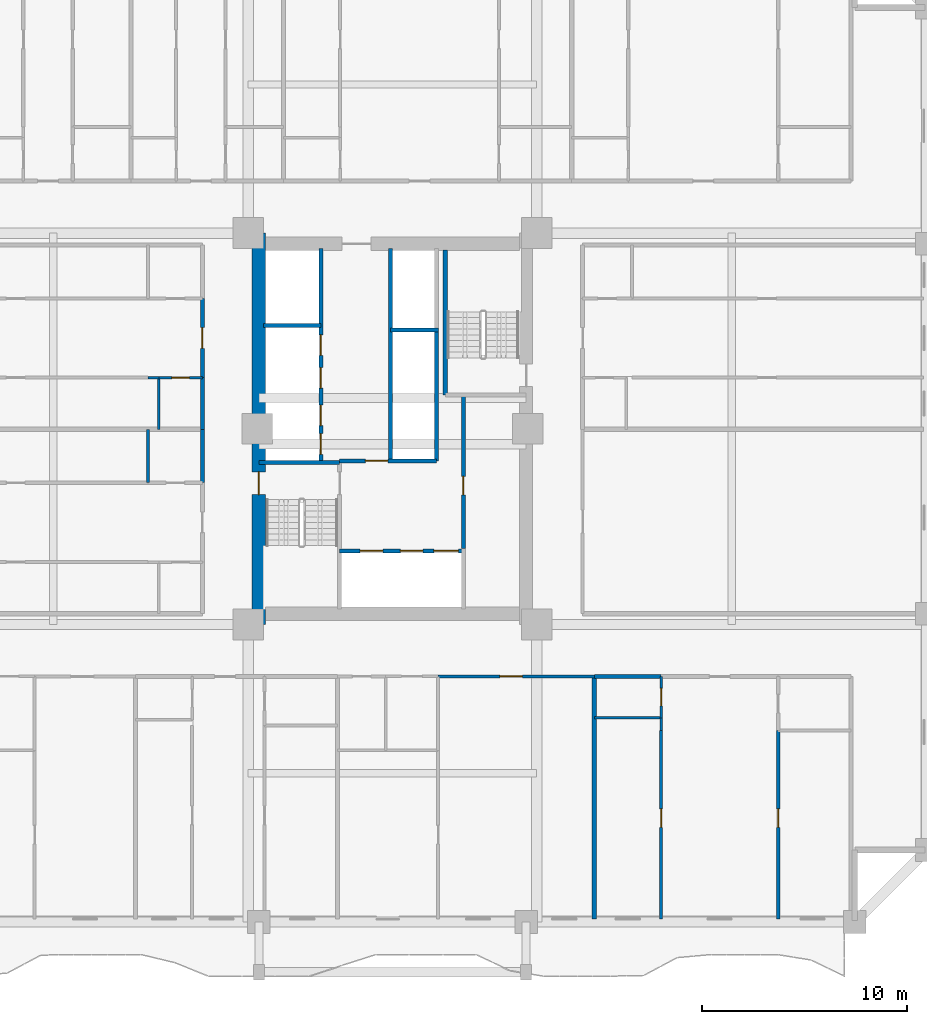
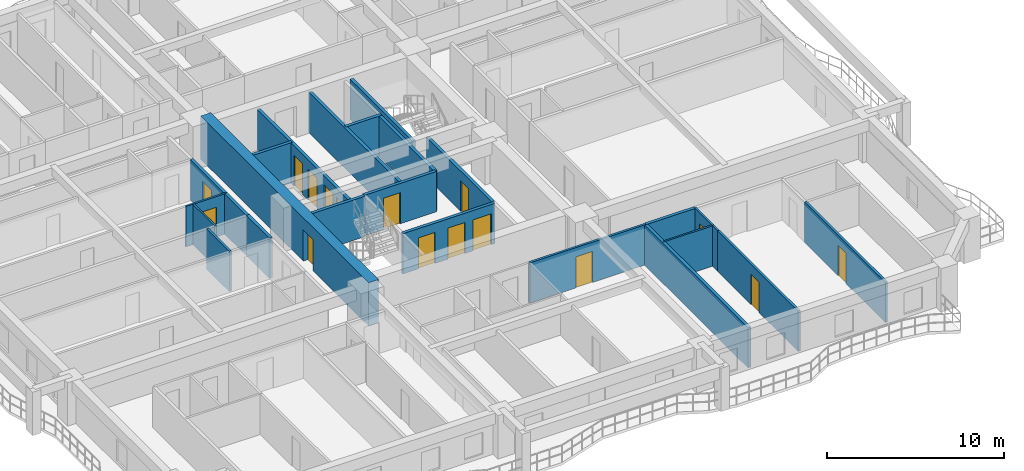
# One storey, part 4 of 15: 26 walls, 16 doors, 16 openings.
"""IFC4 building model written with IfcOpenShell, lengths in metres."""

from ifc_helpers import new_model, si_unit, direction, frame, frame_2d, origin, place, context, subcontext, project, spatial, rectangle, extrude, source, transform, mapped, material, layer, layer_set, type_object, element, fill, save


model = new_model("IFC4")

# Units and contexts
model_context = context("Model", 3, precision=1e-05, world=origin(), true_north=direction((0.0, 1.0)))
body_context = subcontext(model_context, "Body", "Model", "MODEL_VIEW")
ifc_project = project(units=[si_unit("LENGTHUNIT", "METRE"), si_unit("AREAUNIT", "SQUARE_METRE"), si_unit("VOLUMEUNIT", "CUBIC_METRE"), si_unit("PLANEANGLEUNIT", "RADIAN"), si_unit("MASSUNIT", "GRAM", prefix="KILO")], contexts=[model_context])

# Site, building, storey
site_placement = place(None, origin())
site = spatial("IfcSite", under=ifc_project, at=site_placement, CompositionType="ELEMENT")
building_placement = place(site_placement, origin())
building = spatial("IfcBuilding", under=site, at=building_placement, Name="Saelheon Loggia Tower", CompositionType="ELEMENT")
storey_placement = place(building_placement, frame((0.0, 0.0, 46.39990234375)))
storey = spatial("IfcBuildingStorey", under=building, at=storey_placement, Name="L14", CompositionType="ELEMENT", Elevation=46.39990234375)

# Wall, opening, door
ifc_material_1 = material(Name="Concrete C60/75", Category="concrete")
ifc_layer_1 = layer(ifc_material_1, 0.64990234375)
ifc_layer_set_1 = layer_set([ifc_layer_1], Name="Concrete C60/75")
wall_type_1 = type_object("IfcWallType", Name="Wall_CoreShear_650", PredefinedType="SHEAR", material=ifc_layer_set_1)
wall_1_placement = place(storey_placement, frame((31.5, 17.47998046875, 0.0), z_axis=(0.0, 0.0, 1.0), x_axis=(0.0, 1.0, 0.0)))
wall_1 = element("IfcWall", 1, at=wall_1_placement, inside=storey, type_object=wall_type_1, Name="L14 Core Shear Wall West", PredefinedType="SHEAR", context=body_context, shape_type="SweptSolid", body=[
    extrude(rectangle(XDim=19.0400390625, YDim=0.64990234375, at=frame_2d((9.52001953125, 0.0))), origin(), (0.0, 0.0, 1.0), 3.0),
])
opening_1_placement = place(wall_1_placement, frame((6.320068359375, 0.0, 0.0)))
opening_1 = element("IfcOpeningElement", 2, at=opening_1_placement, cuts=wall_1, Name="Opening D-FD2", PredefinedType="OPENING", context=body_context, shape_type="SweptSolid", body=[
    extrude(rectangle(XDim=1.10009765625, YDim=2.14990234375, at=frame_2d((0.550048828125, 1.074951171875))), frame((0.0, 0.3369140625, 0.0), z_axis=(0.0, -1.0, 0.0), x_axis=(1.0, 0.0, 0.0)), (0.0, 0.0, 1.0), 0.673828125),
])
ifc_material_2 = material(Name="Galvanised Steel Fire Door", Category="steel")
door_type_1 = type_object("IfcDoorType", Name="Door_Fire_FD60_1100", OperationType="NOTDEFINED", PredefinedType="DOOR", material=ifc_material_2)
shared_shape_1 = source(origin(), body_context, "Body", "SweptSolid", [
    extrude(rectangle(XDim=1.10009765625, YDim=2.14990234375, at=frame_2d((0.550048828125, 1.074951171875))), frame((0.0, 0.02490234375, 0.0), z_axis=(0.0, -1.0, 0.0), x_axis=(1.0, 0.0, 0.0)), (0.0, 0.0, 1.0), 0.050048828125),
])
door_1_placement = place(opening_1_placement, origin())
door_1 = element("IfcDoor", 3, at=door_1_placement, inside=storey, type_object=door_type_1, Name="L14 Stair ST1 Corridor Door", OperationType="SINGLE_SWING_LEFT", OverallHeight=2.14990234375, OverallWidth=1.10009765625, PredefinedType="DOOR", context=body_context, shape_type="MappedRepresentation", body=[
    mapped(shared_shape_1, transform((0.0, 0.0, 0.0), scale=1.0)),
])
fill(opening_1, door_1)

ifc_material_3 = material(Name="Lightweight Autoclaved Aerated Concrete Block and Acoustic Gypsum", Category="concrete")
ifc_layer_2 = layer(ifc_material_3, 0.14990234375)
ifc_layer_set_2 = layer_set([ifc_layer_2], Name="Lightweight Autoclaved Aerated Concrete Block and Acoustic Gypsum")
wall_type_2 = type_object("IfcWallType", Name="Wall_Part_150", PredefinedType="PARTITIONING", material=ifc_layer_set_2)
wall_2_placement = place(storey_placement, frame((40.2216796875, 14.949951171875, 0.0), z_axis=(0.0, 0.0, 1.0), x_axis=(1.0, 0.0, 0.0)))
wall_2 = element("IfcWall", 4, at=wall_2_placement, inside=storey, type_object=wall_type_2, Name="L14 S Partition V27", PredefinedType="PARTITIONING", context=body_context, shape_type="SweptSolid", body=[
    extrude(rectangle(XDim=7.59912109375, YDim=0.14990234375, at=frame_2d((3.799560546875, 0.0))), origin(), (0.0, 0.0, 1.0), 2.7900390625),
])
opening_2_placement = place(wall_2_placement, frame((3.00048828125, 0.0, 0.0)))
opening_2 = element("IfcOpeningElement", 5, at=opening_2_placement, cuts=wall_2, Name="Opening D-FD2", PredefinedType="OPENING", context=body_context, shape_type="SweptSolid", body=[
    extrude(rectangle(XDim=1.10009765625, YDim=2.14990234375, at=frame_2d((0.550048828125, 1.074951171875))), frame((0.0, 0.0869140625, 0.0), z_axis=(0.0, -1.0, 0.0), x_axis=(1.0, 0.0, 0.0)), (0.0, 0.0, 1.0), 0.173828125),
])
door_2_placement = place(opening_2_placement, origin())
door_2 = element("IfcDoor", 6, at=door_2_placement, inside=storey, type_object=door_type_1, Name="L14 Community Reading Library Door A", OperationType="SINGLE_SWING_LEFT", OverallHeight=2.14990234375, OverallWidth=1.10009765625, PredefinedType="DOOR", context=body_context, shape_type="MappedRepresentation", body=[
    mapped(shared_shape_1, transform((0.0, 0.0, 0.0), scale=1.0)),
])
fill(opening_2, door_2)

wall_3_placement = place(storey_placement, frame((51.070556640625, 12.31005859375, 0.0), z_axis=(0.0, 0.0, 1.0), x_axis=(0.0, -1.0, 0.0)))
wall_3 = element("IfcWall", 7, at=wall_3_placement, inside=storey, type_object=wall_type_2, Name="L14 S Partition U36", PredefinedType="PARTITIONING", context=body_context, shape_type="SweptSolid", body=[
    extrude(rectangle(XDim=9.16015625, YDim=0.14990234375, at=frame_2d((4.580078125, 0.0))), origin(), (0.0, 0.0, 1.0), 2.7900390625),
])
opening_3_placement = place(wall_3_placement, frame((3.805908203125, 0.0, 0.0)))
opening_3 = element("IfcOpeningElement", 8, at=opening_3_placement, cuts=wall_3, Name="Opening D-IN2", PredefinedType="OPENING", context=body_context, shape_type="SweptSolid", body=[
    extrude(rectangle(XDim=0.89990234375, YDim=2.10009765625, at=frame_2d((0.449951171875, 1.050048828125))), frame((0.0, 0.0869140625, 0.0), z_axis=(0.0, -1.0, 0.0), x_axis=(1.0, 0.0, 0.0)), (0.0, 0.0, 1.0), 0.173828125),
])
ifc_material_4 = material(Name="Engineered Oak Flush Door", Category="timber")
door_type_2 = type_object("IfcDoorType", Name="Door_Int_900", OperationType="NOTDEFINED", PredefinedType="DOOR", material=ifc_material_4)
shared_shape_2 = source(origin(), body_context, "Body", "SweptSolid", [
    extrude(rectangle(XDim=0.89990234375, YDim=2.10009765625, at=frame_2d((0.449951171875, 1.050048828125))), frame((0.0, 0.02490234375, 0.0), z_axis=(0.0, -1.0, 0.0), x_axis=(1.0, 0.0, 0.0)), (0.0, 0.0, 1.0), 0.050048828125),
])
door_3_placement = place(opening_3_placement, origin())
door_3 = element("IfcDoor", 9, at=door_3_placement, inside=storey, type_object=door_type_2, Name="Unit U02 Bedroom 2 Door", OperationType="SINGLE_SWING_RIGHT", OverallHeight=2.10009765625, OverallWidth=0.89990234375, PredefinedType="DOOR", context=body_context, shape_type="MappedRepresentation", body=[
    mapped(shared_shape_2, transform((0.0, 0.0, 0.0), scale=1.0)),
])
fill(opening_3, door_3)

wall_4_placement = place(storey_placement, frame((56.77197265625, 12.31005859375, 0.0), z_axis=(0.0, 0.0, 1.0), x_axis=(0.0, -1.0, 0.0)))
wall_4 = element("IfcWall", 10, at=wall_4_placement, inside=storey, type_object=wall_type_2, Name="L14 S Partition U38", PredefinedType="PARTITIONING", context=body_context, shape_type="SweptSolid", body=[
    extrude(rectangle(XDim=9.16015625, YDim=0.14990234375, at=frame_2d((4.580078125, 0.0))), origin(), (0.0, 0.0, 1.0), 2.7900390625),
])
opening_4_placement = place(wall_4_placement, frame((3.805908203125, 0.0, 0.0)))
opening_4 = element("IfcOpeningElement", 11, at=opening_4_placement, cuts=wall_4, Name="Opening D-IN2", PredefinedType="OPENING", context=body_context, shape_type="SweptSolid", body=[
    extrude(rectangle(XDim=0.89990234375, YDim=2.10009765625, at=frame_2d((0.449951171875, 1.050048828125))), frame((0.0, 0.0869140625, 0.0), z_axis=(0.0, -1.0, 0.0), x_axis=(1.0, 0.0, 0.0)), (0.0, 0.0, 1.0), 0.173828125),
])
door_4_placement = place(opening_4_placement, origin())
door_4 = element("IfcDoor", 12, at=door_4_placement, inside=storey, type_object=door_type_2, Name="Unit U02 Bedroom 1 Door", OperationType="SINGLE_SWING_RIGHT", OverallHeight=2.10009765625, OverallWidth=0.89990234375, PredefinedType="DOOR", context=body_context, shape_type="MappedRepresentation", body=[
    mapped(shared_shape_2, transform((0.0, 0.0, 0.0), scale=1.0)),
])
fill(opening_4, door_4)

# Walls
wall_5_placement = place(storey_placement, frame((26.110107421875, 24.375, 0.0), z_axis=(0.0, 0.0, 1.0), x_axis=(0.0, 1.0, 0.0)))
element("IfcWall", 13, at=wall_5_placement, inside=storey, type_object=wall_type_2, Name="L14 W Partition V07", PredefinedType="PARTITIONING", context=body_context, shape_type="SweptSolid", body=[
    extrude(rectangle(XDim=2.60009765625, YDim=0.14990234375, at=frame_2d((1.300048828125, 0.0))), origin(), (0.0, 0.0, 1.0), 2.7900390625),
])
ifc_material_5 = material(Name="Double Acoustic Stud and Fireboard Partition", Category="gypsum")
ifc_layer_3 = layer(ifc_material_5, 0.199951171875)
ifc_layer_set_3 = layer_set([ifc_layer_3], Name="Double Acoustic Stud and Fireboard Partition")
wall_type_3 = type_object("IfcWallType", Name="Wall_Party_200", PredefinedType="PARTITIONING", material=ifc_layer_set_3)
wall_6_placement = place(storey_placement, frame((47.82080078125, 14.949951171875, 0.0), z_axis=(0.0, 0.0, 1.0), x_axis=(0.0, -1.0, 0.0)))
element("IfcWall", 14, at=wall_6_placement, inside=storey, type_object=wall_type_3, Name="L14 S Partition U28", PredefinedType="PARTITIONING", context=body_context, shape_type="SweptSolid", body=[
    extrude(rectangle(XDim=11.800048828125, YDim=0.199951171875, at=frame_2d((5.89990234375, 0.0))), origin(), (0.0, 0.0, 1.0), 2.7900390625),
])
wall_7_placement = place(storey_placement, frame((47.82080078125, 14.949951171875, 0.0), z_axis=(0.0, 0.0, 1.0), x_axis=(1.0, 0.0, 0.0)))
element("IfcWall", 15, at=wall_7_placement, inside=storey, type_object=wall_type_3, Name="L14 S Partition V29", PredefinedType="PARTITIONING", context=body_context, shape_type="SweptSolid", body=[
    extrude(rectangle(XDim=3.249755859375, YDim=0.199951171875, at=frame_2d((1.625, 0.0))), origin(), (0.0, 0.0, 1.0), 2.7900390625),
])
wall_8_placement = place(storey_placement, frame((28.75, 24.375, 0.0), z_axis=(0.0, 0.0, 1.0), x_axis=(0.0, 1.0, 0.0)))
element("IfcWall", 16, at=wall_8_placement, inside=storey, type_object=wall_type_3, Name="L14 W Partition V05", PredefinedType="PARTITIONING", context=body_context, shape_type="SweptSolid", body=[
    extrude(rectangle(XDim=2.60009765625, YDim=0.199951171875, at=frame_2d((1.300048828125, 0.0))), origin(), (0.0, 0.0, 1.0), 2.7900390625),
])
wall_9_placement = place(storey_placement, frame((28.75, 26.97509765625, 0.0), z_axis=(0.0, 0.0, 1.0), x_axis=(0.0, 1.0, 0.0)))
element("IfcWall", 17, at=wall_9_placement, inside=storey, type_object=wall_type_3, Name="L14 W Partition V14", PredefinedType="PARTITIONING", context=body_context, shape_type="SweptSolid", body=[
    extrude(rectangle(XDim=2.512939453125, YDim=0.199951171875, at=frame_2d((1.25634765625, 0.0))), origin(), (0.0, 0.0, 1.0), 2.7900390625),
])

# Wall, opening, door
wall_10_placement = place(storey_placement, frame((28.75, 29.488037109375, 0.0), z_axis=(0.0, 0.0, 1.0), x_axis=(0.0, 1.0, 0.0)))
wall_10 = element("IfcWall", 18, at=wall_10_placement, inside=storey, type_object=wall_type_3, Name="L14 W Partition V15", PredefinedType="PARTITIONING", context=body_context, shape_type="SweptSolid", body=[
    extrude(rectangle(XDim=3.862060546875, YDim=0.199951171875, at=frame_2d((1.93115234375, 0.0))), origin(), (0.0, 0.0, 1.0), 2.7900390625),
])
opening_5_placement = place(wall_10_placement, frame((1.430908203125, 0.0, 0.0)))
opening_5 = element("IfcOpeningElement", 19, at=opening_5_placement, cuts=wall_10, Name="Opening D-FD1", PredefinedType="OPENING", context=body_context, shape_type="SweptSolid", body=[
    extrude(rectangle(XDim=1.0, YDim=2.14990234375, at=frame_2d((0.5, 1.074951171875))), frame((0.0, 0.112060546875, 0.0), z_axis=(0.0, -1.0, 0.0), x_axis=(1.0, 0.0, 0.0)), (0.0, 0.0, 1.0), 0.223876953125),
])
ifc_material_6 = material(Name="Fire-Rated Engineered Timber Entrance Door", Category="wood")
door_type_3 = type_object("IfcDoorType", Name="Door_Flat_FD30S", OperationType="NOTDEFINED", PredefinedType="DOOR", material=ifc_material_6)
shared_shape_3 = source(origin(), body_context, "Body", "SweptSolid", [
    extrude(rectangle(XDim=1.0, YDim=2.14990234375, at=frame_2d((0.5, 1.074951171875))), frame((0.0, 0.02490234375, 0.0), z_axis=(0.0, -1.0, 0.0), x_axis=(1.0, 0.0, 0.0)), (0.0, 0.0, 1.0), 0.050048828125),
])
door_5_placement = place(opening_5_placement, origin())
door_5 = element("IfcDoor", 20, at=door_5_placement, inside=storey, type_object=door_type_3, Name="Unit U08 Entrance Door", OperationType="SINGLE_SWING_LEFT", OverallHeight=2.14990234375, OverallWidth=1.0, PredefinedType="DOOR", context=body_context, shape_type="MappedRepresentation", body=[
    mapped(shared_shape_3, transform((0.0, 0.0, 0.0), scale=1.0)),
])
fill(opening_5, door_5)

ifc_material_7 = material(Name="Concrete C40/50", Category="concrete")
ifc_layer_4 = layer(ifc_material_7, 0.199951171875)
ifc_layer_set_4 = layer_set([ifc_layer_4], Name="Concrete C40/50")
wall_type_4 = type_object("IfcWallType", Name="Wall_Shaft_200", PredefinedType="PARTITIONING", material=ifc_layer_set_4)
wall_11_placement = place(storey_placement, frame((41.449951171875, 21.179931640625, 0.0), z_axis=(0.0, 0.0, 1.0), x_axis=(0.0, 1.0, 0.0)))
wall_11 = element("IfcWall", 21, at=wall_11_placement, inside=storey, type_object=wall_type_4, Name="CW-INT-L14-BOH-W1", PredefinedType="PARTITIONING", context=body_context, shape_type="SweptSolid", body=[
    extrude(rectangle(XDim=7.420166015625, YDim=0.199951171875, at=frame_2d((3.7099609375, 0.0))), origin(), (0.0, 0.0, 1.0), 2.7900390625),
])
opening_6_placement = place(wall_11_placement, frame((2.60009765625, 0.0, 0.0)))
opening_6 = element("IfcOpeningElement", 22, at=opening_6_placement, cuts=wall_11, Name="Opening D-RS1", PredefinedType="OPENING", context=body_context, shape_type="SweptSolid", body=[
    extrude(rectangle(XDim=0.89990234375, YDim=2.10009765625, at=frame_2d((0.449951171875, 1.050048828125))), frame((0.0, 0.112060546875, 0.0), z_axis=(0.0, -1.0, 0.0), x_axis=(1.0, 0.0, 0.0)), (0.0, 0.0, 1.0), 0.223876953125),
])
ifc_material_8 = material(Name="Galvanised Steel Riser Access Door", Category="steel")
door_type_4 = type_object("IfcDoorType", Name="Door_Riser_FD60", OperationType="NOTDEFINED", PredefinedType="DOOR", material=ifc_material_8)
door_6_placement = place(opening_6_placement, origin())
door_6 = element("IfcDoor", 23, at=door_6_placement, inside=storey, type_object=door_type_4, Name="L14 Core Service Store Door", OperationType="SINGLE_SWING_RIGHT", OverallHeight=2.10009765625, OverallWidth=0.89990234375, PredefinedType="DOOR", context=body_context, shape_type="MappedRepresentation", body=[
    mapped(shared_shape_2, transform((0.0, 0.0, 0.0), scale=1.0)),
])
fill(opening_6, door_6)

# Wall
wall_12_placement = place(storey_placement, frame((40.14990234375, 25.43994140625, 0.0), z_axis=(0.0, 0.0, 1.0), x_axis=(0.0, 1.0, 0.0)))
element("IfcWall", 24, at=wall_12_placement, inside=storey, type_object=wall_type_4, Name="L14 Core Service Passage West Wall", PredefinedType="PARTITIONING", context=body_context, shape_type="SweptSolid", body=[
    extrude(rectangle(XDim=6.360107421875, YDim=0.199951171875, at=frame_2d((3.18017578125, 0.0))), origin(), (0.0, 0.0, 1.0), 2.7900390625),
])

# Wall, openings, doors
wall_13_placement = place(storey_placement, frame((35.429931640625, 21.06005859375, 0.0), z_axis=(0.0, 0.0, 1.0), x_axis=(1.0, 0.0, 0.0)))
wall_13 = element("IfcWall", 25, at=wall_13_placement, inside=storey, type_object=wall_type_4, Name="L14 Firefighting Lift Shaft Front Wall", PredefinedType="PARTITIONING", context=body_context, shape_type="SweptSolid", body=[
    extrude(rectangle(XDim=6.02001953125, YDim=0.199951171875, at=frame_2d((3.010009765625, 0.0))), origin(), (0.0, 0.0, 1.0), 2.7900390625),
])
opening_7_placement = place(wall_13_placement, frame((1.0, 0.0, 0.0)))
opening_7 = element("IfcOpeningElement", 26, at=opening_7_placement, cuts=wall_13, Name="Opening LD2", PredefinedType="OPENING", context=body_context, shape_type="SweptSolid", body=[
    extrude(rectangle(XDim=1.10009765625, YDim=2.14990234375, at=frame_2d((0.550048828125, 1.074951171875))), frame((0.0, 0.112060546875, 0.0), z_axis=(0.0, -1.0, 0.0), x_axis=(1.0, 0.0, 0.0)), (0.0, 0.0, 1.0), 0.223876953125),
])
opening_8_placement = place(wall_13_placement, frame((2.949951171875, 0.0, 0.0)))
opening_8 = element("IfcOpeningElement", 27, at=opening_8_placement, cuts=wall_13, Name="Opening LD2", PredefinedType="OPENING", context=body_context, shape_type="SweptSolid", body=[
    extrude(rectangle(XDim=1.10009765625, YDim=2.14990234375, at=frame_2d((0.550048828125, 1.074951171875))), frame((0.0, 0.112060546875, 0.0), z_axis=(0.0, -1.0, 0.0), x_axis=(1.0, 0.0, 0.0)), (0.0, 0.0, 1.0), 0.223876953125),
])
opening_9_placement = place(wall_13_placement, frame((4.580078125, 0.0, 0.0)))
opening_9 = element("IfcOpeningElement", 28, at=opening_9_placement, cuts=wall_13, Name="Opening LD3", PredefinedType="OPENING", context=body_context, shape_type="SweptSolid", body=[
    extrude(rectangle(XDim=1.199951171875, YDim=2.14990234375, at=frame_2d((0.60009765625, 1.074951171875))), frame((0.0, 0.112060546875, 0.0), z_axis=(0.0, -1.0, 0.0), x_axis=(1.0, 0.0, 0.0)), (0.0, 0.0, 1.0), 0.223876953125),
])
ifc_material_9 = material(Name="Firefighting Stainless Steel 316 Landing Door", Category="steel")
door_type_5 = type_object("IfcDoorType", Name="Door_Lift_LD2", OperationType="DOUBLE_DOOR_SLIDING", PredefinedType="DOOR", material=ifc_material_9)
door_7_placement = place(opening_7_placement, origin())
door_7 = element("IfcDoor", 29, at=door_7_placement, inside=storey, type_object=door_type_5, Name="L14 FF1 Landing Door", OperationType="DOUBLE_DOOR_SLIDING", OverallHeight=2.14990234375, OverallWidth=1.10009765625, PredefinedType="DOOR", context=body_context, shape_type="MappedRepresentation", body=[
    mapped(shared_shape_1, transform((0.0, 0.0, 0.0), scale=1.0)),
])
fill(opening_7, door_7)
door_8_placement = place(opening_8_placement, origin())
door_8 = element("IfcDoor", 30, at=door_8_placement, inside=storey, type_object=door_type_5, Name="L14 FF2 Landing Door", OperationType="DOUBLE_DOOR_SLIDING", OverallHeight=2.14990234375, OverallWidth=1.10009765625, PredefinedType="DOOR", context=body_context, shape_type="MappedRepresentation", body=[
    mapped(shared_shape_1, transform((0.0, 0.0, 0.0), scale=1.0)),
])
fill(opening_8, door_8)
ifc_material_10 = material(Name="Stretcher Lift Stainless Steel 304 Landing Door", Category="steel")
door_type_6 = type_object("IfcDoorType", Name="Door_Lift_LD3", OperationType="DOUBLE_DOOR_SLIDING", PredefinedType="DOOR", material=ifc_material_10)
shared_shape_4 = source(origin(), body_context, "Body", "SweptSolid", [
    extrude(rectangle(XDim=1.199951171875, YDim=2.14990234375, at=frame_2d((0.60009765625, 1.074951171875))), frame((0.0, 0.02490234375, 0.0), z_axis=(0.0, -1.0, 0.0), x_axis=(1.0, 0.0, 0.0)), (0.0, 0.0, 1.0), 0.050048828125),
])
door_9_placement = place(opening_9_placement, origin())
door_9 = element("IfcDoor", 31, at=door_9_placement, inside=storey, type_object=door_type_6, Name="L14 SV1 Landing Door", OperationType="DOUBLE_DOOR_SLIDING", OverallHeight=2.14990234375, OverallWidth=1.199951171875, PredefinedType="DOOR", context=body_context, shape_type="MappedRepresentation", body=[
    mapped(shared_shape_4, transform((0.0, 0.0, 0.0), scale=1.0)),
])
fill(opening_9, door_9)

# Wall, opening, door
wall_14_placement = place(storey_placement, frame((35.429931640625, 25.43994140625, 0.0), z_axis=(0.0, 0.0, 1.0), x_axis=(1.0, 0.0, 0.0)))
wall_14 = element("IfcWall", 32, at=wall_14_placement, inside=storey, type_object=wall_type_4, Name="L14 Firefighting Lobby Compartment Wall", PredefinedType="PARTITIONING", context=body_context, shape_type="SweptSolid", body=[
    extrude(rectangle(XDim=4.719970703125, YDim=0.199951171875, at=frame_2d((2.35986328125, 0.0))), origin(), (0.0, 0.0, 1.0), 2.7900390625),
])
opening_10_placement = place(wall_14_placement, frame((1.25, 0.0, 0.0)))
opening_10 = element("IfcOpeningElement", 33, at=opening_10_placement, cuts=wall_14, Name="Opening D-FD2", PredefinedType="OPENING", context=body_context, shape_type="SweptSolid", body=[
    extrude(rectangle(XDim=1.10009765625, YDim=2.14990234375, at=frame_2d((0.550048828125, 1.074951171875))), frame((0.0, 0.112060546875, 0.0), z_axis=(0.0, -1.0, 0.0), x_axis=(1.0, 0.0, 0.0)), (0.0, 0.0, 1.0), 0.223876953125),
])
door_10_placement = place(opening_10_placement, origin())
door_10 = element("IfcDoor", 34, at=door_10_placement, inside=storey, type_object=door_type_1, Name="L14 Firefighting Lobby Door", OperationType="SINGLE_SWING_LEFT", OverallHeight=2.14990234375, OverallWidth=1.10009765625, PredefinedType="DOOR", context=body_context, shape_type="MappedRepresentation", body=[
    mapped(shared_shape_1, transform((0.0, 0.0, 0.0), scale=1.0)),
])
fill(opening_10, door_10)

# Wall, openings, doors
wall_15_placement = place(storey_placement, frame((34.52001953125, 25.43994140625, 0.0), z_axis=(0.0, 0.0, 1.0), x_axis=(0.0, 1.0, 0.0)))
wall_15 = element("IfcWall", 35, at=wall_15_placement, inside=storey, type_object=wall_type_4, Name="L14 West Passenger Lift Bank Wall", PredefinedType="PARTITIONING", context=body_context, shape_type="SweptSolid", body=[
    extrude(rectangle(XDim=10.340087890625, YDim=0.199951171875, at=frame_2d((5.169921875, 0.0))), origin(), (0.0, 0.0, 1.0), 2.7900390625),
])
opening_11_placement = place(wall_15_placement, frame((0.320068359375, 0.0, 0.0)))
opening_11 = element("IfcOpeningElement", 36, at=opening_11_placement, cuts=wall_15, Name="Opening LD1", PredefinedType="OPENING", context=body_context, shape_type="SweptSolid", body=[
    extrude(rectangle(XDim=1.0, YDim=2.14990234375, at=frame_2d((0.5, 1.074951171875))), frame((0.0, 0.112060546875, 0.0), z_axis=(0.0, -1.0, 0.0), x_axis=(1.0, 0.0, 0.0)), (0.0, 0.0, 1.0), 0.223876953125),
])
opening_12_placement = place(wall_15_placement, frame((1.7099609375, 0.0, 0.0)))
opening_12 = element("IfcOpeningElement", 37, at=opening_12_placement, cuts=wall_15, Name="Opening LD1", PredefinedType="OPENING", context=body_context, shape_type="SweptSolid", body=[
    extrude(rectangle(XDim=1.0, YDim=2.14990234375, at=frame_2d((0.5, 1.074951171875))), frame((0.0, 0.112060546875, 0.0), z_axis=(0.0, -1.0, 0.0), x_axis=(1.0, 0.0, 0.0)), (0.0, 0.0, 1.0), 0.223876953125),
])
opening_13_placement = place(wall_15_placement, frame((3.534912109375, 0.0, 0.0)))
opening_13 = element("IfcOpeningElement", 38, at=opening_13_placement, cuts=wall_15, Name="Opening LD1", PredefinedType="OPENING", context=body_context, shape_type="SweptSolid", body=[
    extrude(rectangle(XDim=1.0, YDim=2.14990234375, at=frame_2d((0.5, 1.074951171875))), frame((0.0, 0.112060546875, 0.0), z_axis=(0.0, -1.0, 0.0), x_axis=(1.0, 0.0, 0.0)), (0.0, 0.0, 1.0), 0.223876953125),
])
opening_14_placement = place(wall_15_placement, frame((5.135009765625, 0.0, 0.0)))
opening_14 = element("IfcOpeningElement", 39, at=opening_14_placement, cuts=wall_15, Name="Opening LD1", PredefinedType="OPENING", context=body_context, shape_type="SweptSolid", body=[
    extrude(rectangle(XDim=1.0, YDim=2.14990234375, at=frame_2d((0.5, 1.074951171875))), frame((0.0, 0.112060546875, 0.0), z_axis=(0.0, -1.0, 0.0), x_axis=(1.0, 0.0, 0.0)), (0.0, 0.0, 1.0), 0.223876953125),
])
ifc_material_11 = material(Name="Brushed Stainless Steel 304 Landing Door", Category="steel")
door_type_7 = type_object("IfcDoorType", Name="Door_Lift_LD1", OperationType="DOUBLE_DOOR_SLIDING", PredefinedType="DOOR", material=ifc_material_11)
door_11_placement = place(opening_11_placement, origin())
door_11 = element("IfcDoor", 40, at=door_11_placement, inside=storey, type_object=door_type_7, Name="L14 PL1 Landing Door", OperationType="DOUBLE_DOOR_SLIDING", OverallHeight=2.14990234375, OverallWidth=1.0, PredefinedType="DOOR", context=body_context, shape_type="MappedRepresentation", body=[
    mapped(shared_shape_3, transform((0.0, 0.0, 0.0), scale=1.0)),
])
fill(opening_11, door_11)
door_12_placement = place(opening_12_placement, origin())
door_12 = element("IfcDoor", 41, at=door_12_placement, inside=storey, type_object=door_type_7, Name="L14 PL2 Landing Door", OperationType="DOUBLE_DOOR_SLIDING", OverallHeight=2.14990234375, OverallWidth=1.0, PredefinedType="DOOR", context=body_context, shape_type="MappedRepresentation", body=[
    mapped(shared_shape_3, transform((0.0, 0.0, 0.0), scale=1.0)),
])
fill(opening_12, door_12)
door_13_placement = place(opening_13_placement, origin())
door_13 = element("IfcDoor", 42, at=door_13_placement, inside=storey, type_object=door_type_7, Name="L14 PL3 Landing Door", OperationType="DOUBLE_DOOR_SLIDING", OverallHeight=2.14990234375, OverallWidth=1.0, PredefinedType="DOOR", context=body_context, shape_type="MappedRepresentation", body=[
    mapped(shared_shape_3, transform((0.0, 0.0, 0.0), scale=1.0)),
])
fill(opening_13, door_13)
door_14_placement = place(opening_14_placement, origin())
door_14 = element("IfcDoor", 43, at=door_14_placement, inside=storey, type_object=door_type_7, Name="L14 PL4 Landing Door", OperationType="DOUBLE_DOOR_SLIDING", OverallHeight=2.14990234375, OverallWidth=1.0, PredefinedType="DOOR", context=body_context, shape_type="MappedRepresentation", body=[
    mapped(shared_shape_3, transform((0.0, 0.0, 0.0), scale=1.0)),
])
fill(opening_14, door_14)

# Walls
wall_16_placement = place(storey_placement, frame((31.719970703125, 32.02001953125, 0.0), z_axis=(0.0, 0.0, 1.0), x_axis=(1.0, 0.0, 0.0)))
element("IfcWall", 44, at=wall_16_placement, inside=storey, type_object=wall_type_4, Name="L14 West High-Rise Shaft Divider", PredefinedType="PARTITIONING", context=body_context, shape_type="SweptSolid", body=[
    extrude(rectangle(XDim=2.800048828125, YDim=0.199951171875, at=frame_2d((1.39990234375, 0.0))), origin(), (0.0, 0.0, 1.0), 2.7900390625),
])
wall_17_placement = place(storey_placement, frame((37.89990234375, 25.43994140625, 0.0), z_axis=(0.0, 0.0, 1.0), x_axis=(0.0, 1.0, 0.0)))
element("IfcWall", 45, at=wall_17_placement, inside=storey, type_object=wall_type_4, Name="L14 East Passenger Lift Bank Wall", PredefinedType="PARTITIONING", context=body_context, shape_type="SweptSolid", body=[
    extrude(rectangle(XDim=10.340087890625, YDim=0.199951171875, at=frame_2d((5.169921875, 0.0))), origin(), (0.0, 0.0, 1.0), 2.7900390625),
])
wall_18_placement = place(storey_placement, frame((37.89990234375, 31.800048828125, 0.0), z_axis=(0.0, 0.0, 1.0), x_axis=(1.0, 0.0, 0.0)))
element("IfcWall", 46, at=wall_18_placement, inside=storey, type_object=wall_type_4, Name="L14 East High-Rise Shaft Divider", PredefinedType="PARTITIONING", context=body_context, shape_type="SweptSolid", body=[
    extrude(rectangle(XDim=2.35009765625, YDim=0.199951171875, at=frame_2d((1.175048828125, 0.0))), origin(), (0.0, 0.0, 1.0), 2.7900390625),
])
ifc_material_12 = material(Name="Concrete C45/55", Category="concrete")
ifc_layer_5 = layer(ifc_material_12, 0.199951171875)
ifc_layer_set_5 = layer_set([ifc_layer_5], Name="Concrete C45/55")
wall_type_5 = type_object("IfcWallType", Name="Wall_StairShaft_RC200", PredefinedType="SOLIDWALL", material=ifc_layer_set_5)
wall_19_placement = place(storey_placement, frame((31.5, 25.35009765625, 0.0), z_axis=(0.0, 0.0, 1.0), x_axis=(1.0, 0.0, 0.0)))
element("IfcWall", 47, at=wall_19_placement, inside=storey, type_object=wall_type_5, Name="L14 Stair ST1 North Wall", PredefinedType="SOLIDWALL", context=body_context, shape_type="SweptSolid", body=[
    extrude(rectangle(XDim=3.929931640625, YDim=0.199951171875, at=frame_2d((1.96484375, 0.0))), origin(), (0.0, 0.0, 1.0), 2.7900390625),
])
wall_20_placement = place(storey_placement, frame((40.570068359375, 28.64990234375, 0.0), z_axis=(0.0, 0.0, 1.0), x_axis=(0.0, 1.0, 0.0)))
element("IfcWall", 48, at=wall_20_placement, inside=storey, type_object=wall_type_5, Name="L14 Stair ST2 Shaft Wall", PredefinedType="SOLIDWALL", context=body_context, shape_type="SweptSolid", body=[
    extrude(rectangle(XDim=7.050048828125, YDim=0.199951171875, at=frame_2d((3.52490234375, 0.0))), origin(), (0.0, 0.0, 1.0), 2.7900390625),
])
ifc_material_13 = material(Name="Moisture-Resistant Cement Board Partition", Category="gypsum")
ifc_layer_6 = layer(ifc_material_13, 0.1201171875)
ifc_layer_set_6 = layer_set([ifc_layer_6], Name="Moisture-Resistant Cement Board Partition")
wall_type_6 = type_object("IfcWallType", Name="Wall_WetPart_120", PredefinedType="PARTITIONING", material=ifc_layer_set_6)
wall_21_placement = place(storey_placement, frame((47.82080078125, 12.929931640625, 0.0), z_axis=(0.0, 0.0, 1.0), x_axis=(1.0, 0.0, 0.0)))
element("IfcWall", 49, at=wall_21_placement, inside=storey, type_object=wall_type_6, Name="L14 S Partition V32", PredefinedType="PARTITIONING", context=body_context, shape_type="SweptSolid", body=[
    extrude(rectangle(XDim=3.249755859375, YDim=0.1201171875, at=frame_2d((1.625, 0.0))), origin(), (0.0, 0.0, 1.0), 2.7900390625),
])

# Wall, opening, door
wall_22_placement = place(storey_placement, frame((51.070556640625, 14.949951171875, 0.0), z_axis=(0.0, 0.0, 1.0), x_axis=(0.0, -1.0, 0.0)))
wall_22 = element("IfcWall", 50, at=wall_22_placement, inside=storey, type_object=wall_type_6, Name="L14 S Partition U34", PredefinedType="PARTITIONING", context=body_context, shape_type="SweptSolid", body=[
    extrude(rectangle(XDim=2.02001953125, YDim=0.1201171875, at=frame_2d((1.010009765625, 0.0))), origin(), (0.0, 0.0, 1.0), 2.7900390625),
])
opening_15_placement = place(wall_22_placement, frame((0.5849609375, 0.0, 0.0)))
opening_15 = element("IfcOpeningElement", 51, at=opening_15_placement, cuts=wall_22, Name="Opening D-BT1", PredefinedType="OPENING", context=body_context, shape_type="SweptSolid", body=[
    extrude(rectangle(XDim=0.85009765625, YDim=2.050048828125, at=frame_2d((0.425048828125, 1.02490234375))), frame((0.0, 0.072021484375, 0.0), z_axis=(0.0, -1.0, 0.0), x_axis=(1.0, 0.0, 0.0)), (0.0, 0.0, 1.0), 0.14404296875),
])
ifc_material_14 = material(Name="Moisture-Resistant Laminate Timber Door", Category="wood")
door_type_8 = type_object("IfcDoorType", Name="Door_Bath_850", OperationType="NOTDEFINED", PredefinedType="DOOR", material=ifc_material_14)
shared_shape_5 = source(origin(), body_context, "Body", "SweptSolid", [
    extrude(rectangle(XDim=0.85009765625, YDim=2.050048828125, at=frame_2d((0.425048828125, 1.02490234375))), frame((0.0, 0.02490234375, 0.0), z_axis=(0.0, -1.0, 0.0), x_axis=(1.0, 0.0, 0.0)), (0.0, 0.0, 1.0), 0.050048828125),
])
door_15_placement = place(opening_15_placement, origin())
door_15 = element("IfcDoor", 52, at=door_15_placement, inside=storey, type_object=door_type_8, Name="Unit U02 Bathroom Door", OperationType="SINGLE_SWING_LEFT", OverallHeight=2.050048828125, OverallWidth=0.85009765625, PredefinedType="DOOR", context=body_context, shape_type="MappedRepresentation", body=[
    mapped(shared_shape_5, transform((0.0, 0.0, 0.0), scale=1.0)),
])
fill(opening_15, door_15)

# Walls
wall_23_placement = place(storey_placement, frame((51.070556640625, 12.929931640625, 0.0), z_axis=(0.0, 0.0, 1.0), x_axis=(0.0, -1.0, 0.0)))
element("IfcWall", 53, at=wall_23_placement, inside=storey, type_object=wall_type_6, Name="L14 S Partition U35", PredefinedType="PARTITIONING", context=body_context, shape_type="SweptSolid", body=[
    extrude(rectangle(XDim=0.619873046875, YDim=0.1201171875, at=frame_2d((0.31005859375, 0.0))), origin(), (0.0, 0.0, 1.0), 2.7900390625),
])
wall_24_placement = place(storey_placement, frame((26.6298828125, 26.97509765625, 0.0), z_axis=(0.0, 0.0, 1.0), x_axis=(0.0, 1.0, 0.0)))
element("IfcWall", 54, at=wall_24_placement, inside=storey, type_object=wall_type_6, Name="L14 W Partition V17", PredefinedType="PARTITIONING", context=body_context, shape_type="SweptSolid", body=[
    extrude(rectangle(XDim=2.512939453125, YDim=0.1201171875, at=frame_2d((1.25634765625, 0.0))), origin(), (0.0, 0.0, 1.0), 2.7900390625),
])

# Wall, opening, door
wall_25_placement = place(storey_placement, frame((28.75, 29.488037109375, 0.0), z_axis=(0.0, 0.0, 1.0), x_axis=(-1.0, 0.0, 0.0)))
wall_25 = element("IfcWall", 55, at=wall_25_placement, inside=storey, type_object=wall_type_6, Name="L14 W Partition U19", PredefinedType="PARTITIONING", context=body_context, shape_type="SweptSolid", body=[
    extrude(rectangle(XDim=2.1201171875, YDim=0.1201171875, at=frame_2d((1.06005859375, 0.0))), origin(), (0.0, 0.0, 1.0), 2.7900390625),
])
opening_16_placement = place(wall_25_placement, frame((0.635009765625, 0.0, 0.0)))
opening_16 = element("IfcOpeningElement", 56, at=opening_16_placement, cuts=wall_25, Name="Opening D-BT1", PredefinedType="OPENING", context=body_context, shape_type="SweptSolid", body=[
    extrude(rectangle(XDim=0.85009765625, YDim=2.050048828125, at=frame_2d((0.425048828125, 1.02490234375))), frame((0.0, 0.072021484375, 0.0), z_axis=(0.0, -1.0, 0.0), x_axis=(1.0, 0.0, 0.0)), (0.0, 0.0, 1.0), 0.14404296875),
])
door_16_placement = place(opening_16_placement, origin())
door_16 = element("IfcDoor", 57, at=door_16_placement, inside=storey, type_object=door_type_8, Name="Unit U08 Bathroom Door", OperationType="SINGLE_SWING_RIGHT", OverallHeight=2.050048828125, OverallWidth=0.85009765625, PredefinedType="DOOR", context=body_context, shape_type="MappedRepresentation", body=[
    mapped(shared_shape_5, transform((0.0, 0.0, 0.0), scale=1.0)),
])
fill(opening_16, door_16)

# Wall
wall_26_placement = place(storey_placement, frame((26.6298828125, 29.488037109375, 0.0), z_axis=(0.0, 0.0, 1.0), x_axis=(-1.0, 0.0, 0.0)))
element("IfcWall", 58, at=wall_26_placement, inside=storey, type_object=wall_type_6, Name="L14 W Partition U20", PredefinedType="PARTITIONING", context=body_context, shape_type="SweptSolid", body=[
    extrude(rectangle(XDim=0.519775390625, YDim=0.1201171875, at=frame_2d((0.259765625, 0.0))), origin(), (0.0, 0.0, 1.0), 2.7900390625),
])

save(model, "model.ifc")
